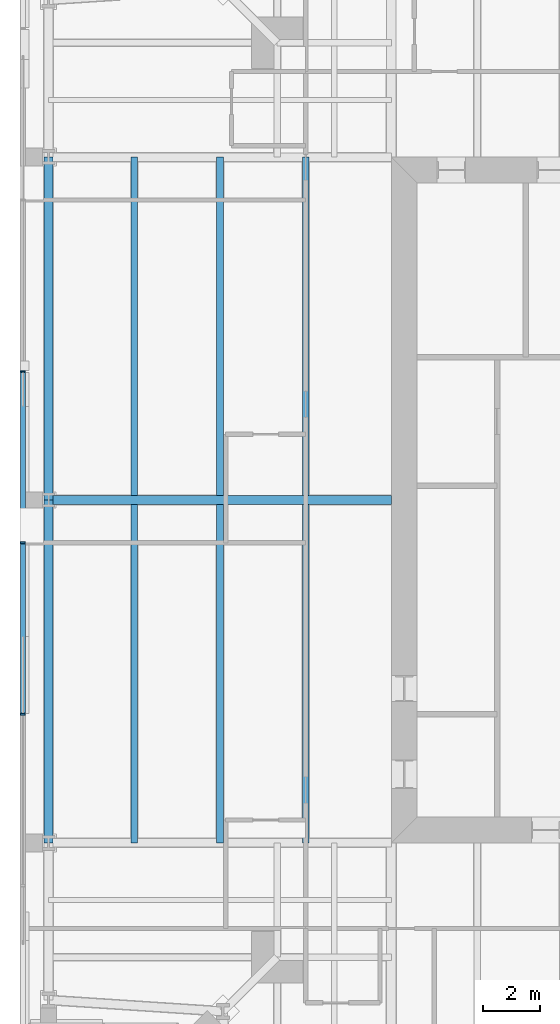
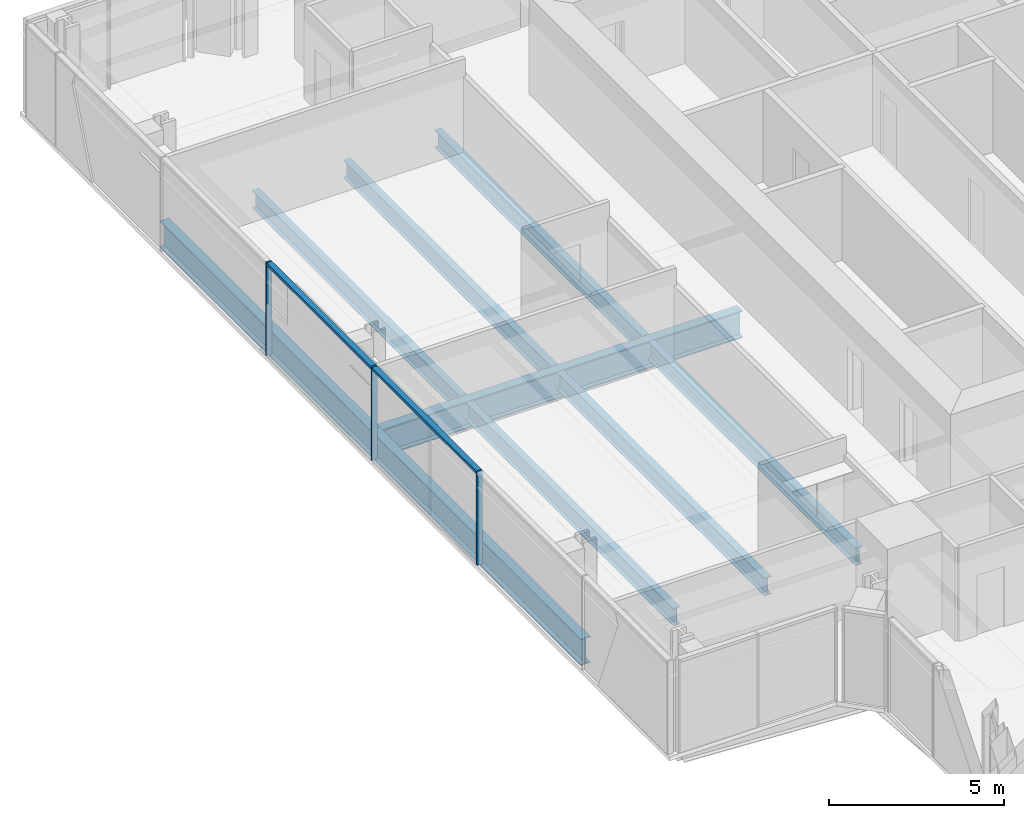
# One storey, part 4 of 20: 9 beams, 5 members, 1 element without a shape of its own.
"""IFC4 building model written with IfcOpenShell, lengths in metres."""

from ifc_helpers import new_model, si_unit, direction, frame, origin, origin_2d, place, context, subcontext, project, spatial, rectangle, i_section, extrude, material, material_profile, profile_set, type_object, element, aggregate, save


model = new_model("IFC4")

# Units and contexts
model_context = context("Model", 3, precision=1e-05, world=origin(), true_north=direction((0.0, 1.0)))
body_context = subcontext(model_context, "Body", "Model", "MODEL_VIEW")
ifc_project = project(units=[si_unit("LENGTHUNIT", "METRE"), si_unit("AREAUNIT", "SQUARE_METRE"), si_unit("VOLUMEUNIT", "CUBIC_METRE"), si_unit("PLANEANGLEUNIT", "RADIAN"), si_unit("MASSUNIT", "GRAM", prefix="KILO")], contexts=[model_context])

# Site, building, storey
site_placement = place(None, origin())
site = spatial("IfcSite", under=ifc_project, at=site_placement, CompositionType="ELEMENT")
building_placement = place(site_placement, origin())
building = spatial("IfcBuilding", under=site, at=building_placement, Name="Fenwick Lantern Interchange", CompositionType="ELEMENT")
storey_placement = place(building_placement, frame((0.0, 0.0, 279.800048828125)))
storey = spatial("IfcBuildingStorey", under=building, at=storey_placement, Name="L67", CompositionType="ELEMENT", Elevation=279.800048828125)

# Beams
ifc_material_1 = material(Name="Steel ASTM A992 Grade 50", Category="steel")
ifc_material_profile_1 = material_profile(ifc_material_1, i_section(OverallWidth=0.3046875, OverallDepth=0.911865234375, WebThickness=0.015869140625, FlangeThickness=0.02392578125, at=origin_2d()), Name="W36X150")
ifc_profile_set_1 = profile_set([ifc_material_profile_1], Name="Steel ASTM A992 Grade 50")
beam_type_1 = type_object("IfcBeamType", Name="EDGE BEAM W36X150", PredefinedType="SPANDREL", material=ifc_profile_set_1)
for number, where, z_axis, x_axis, name in (
    (1, (1.0, 37.0, -0.60595703125), (0.0, -1.0, 0.0), (1.0, 0.0, 0.0), "L67/FR/W/EB2"),
    (2, (1.0, 25.0, -0.60595703125), (0.0, -1.0, 0.0), (1.0, 0.0, 0.0), "L67/FR/W/EB3"),
):
    element("IfcBeam", number, at=place(storey_placement, frame(where, z_axis=z_axis, x_axis=x_axis)), inside=storey, type_object=beam_type_1, Name=name, PredefinedType="SPANDREL", context=body_context, shape_type="SweptSolid", body=[
        extrude(i_section(OverallWidth=0.3046875, OverallDepth=0.911865234375, WebThickness=0.015869140625, FlangeThickness=0.02392578125, at=origin_2d()), origin(), (0.0, 0.0, 1.0), 12.0),
    ])
ifc_material_profile_2 = material_profile(ifc_material_1, i_section(OverallWidth=0.22900390625, OverallDepth=0.612060546875, WebThickness=0.011962890625, FlangeThickness=0.01953125, at=origin_2d()), Name="W24X84")
ifc_profile_set_2 = profile_set([ifc_material_profile_2], Name="Steel ASTM A992 Grade 50")
beam_type_2 = type_object("IfcBeamType", Name="FLOOR BEAM W24X84", PredefinedType="BEAM", material=ifc_profile_set_2)
for number, where, z_axis, x_axis, name in (
    (3, (4.0, 37.0, -0.4560546875), (0.0, -1.0, 0.0), (1.0, 0.0, 0.0), "L67/FR/W/B01"),
    (4, (7.0, 37.0, -0.4560546875), (0.0, -1.0, 0.0), (1.0, 0.0, 0.0), "L67/FR/W/B02"),
    (5, (10.0, 37.0, -0.4560546875), (0.0, -1.0, 0.0), (1.0, 0.0, 0.0), "L67/FR/W/B03"),
    (6, (4.0, 24.844970703125, -0.4560546875), (0.0, -1.0, 0.0), (1.0, 0.0, 0.0), "L67/FR/W/B04"),
    (7, (7.0, 24.844970703125, -0.4560546875), (0.0, -1.0, 0.0), (1.0, 0.0, 0.0), "L67/FR/W/B05"),
    (8, (10.0, 24.844970703125, -0.4560546875), (0.0, -1.0, 0.0), (1.0, 0.0, 0.0), "L67/FR/W/B06"),
):
    element("IfcBeam", number, at=place(storey_placement, frame(where, z_axis=z_axis, x_axis=x_axis)), inside=storey, type_object=beam_type_2, Name=name, PredefinedType="BEAM", context=body_context, shape_type="SweptSolid", body=[
        extrude(i_section(OverallWidth=0.22900390625, OverallDepth=0.612060546875, WebThickness=0.011962890625, FlangeThickness=0.01953125, at=origin_2d()), origin(), (0.0, 0.0, 1.0), 11.844970703125),
    ])

# Curtain wall, members
ifc_material_2 = material(Name="Aluminium curtain wall frame", Category="aluminium")
curtain_wall_type = type_object("IfcCurtainWallType", Name="HOTEL CURTAIN WALL", PredefinedType="USERDEFINED", material=ifc_material_2)
curtain_wall_placement = place(storey_placement, origin())
curtain_wall = element("IfcCurtainWall", 9, at=curtain_wall_placement, inside=storey, type_object=curtain_wall_type, Name="Hotel curtain wall 13", ObjectType="HOTEL CURTAIN WALL", PredefinedType="USERDEFINED")
ifc_material_3 = material(Name="Aluminium extrusion", Category="aluminium")
ifc_material_profile_3 = material_profile(ifc_material_3, rectangle(XDim=0.179931640625, YDim=0.06005859375, at=origin_2d()), Name="HOTEL CURTAIN WALL MULLION 60 X 180")
ifc_profile_set_3 = profile_set([ifc_material_profile_3], Name="Aluminium extrusion")
member_type_1 = type_object("IfcMemberType", Name="HOTEL CURTAIN WALL MULLION 60 X 180", PredefinedType="MULLION", material=ifc_profile_set_3)
member_1_placement = place(storey_placement, frame((0.10009765625, 29.5, 0.0), z_axis=(0.0, 0.0, 1.0), x_axis=(1.0, 0.0, 0.0)))
member_1 = element("IfcMember", 10, at=member_1_placement, type_object=member_type_1, Name="L67/CW/13/M03", PredefinedType="MULLION", context=body_context, shape_type="SweptSolid", body=[
    extrude(rectangle(XDim=0.179931640625, YDim=0.06005859375, at=origin_2d()), origin(), (0.0, 0.0, 1.0), 3.25),
])
member_2_placement = place(storey_placement, frame((0.10009765625, 23.5, 0.0), z_axis=(0.0, 0.0, 1.0), x_axis=(1.0, 0.0, 0.0)))
member_2 = element("IfcMember", 11, at=member_2_placement, type_object=member_type_1, Name="L67/CW/13/M04", PredefinedType="MULLION", context=body_context, shape_type="SweptSolid", body=[
    extrude(rectangle(XDim=0.179931640625, YDim=0.06005859375, at=origin_2d()), origin(), (0.0, 0.0, 1.0), 3.25),
])
member_3_placement = place(storey_placement, frame((0.10009765625, 17.5, 0.0), z_axis=(0.0, 0.0, 1.0), x_axis=(1.0, 0.0, 0.0)))
member_3 = element("IfcMember", 12, at=member_3_placement, type_object=member_type_1, Name="L67/CW/13/M05", PredefinedType="MULLION", context=body_context, shape_type="SweptSolid", body=[
    extrude(rectangle(XDim=0.179931640625, YDim=0.06005859375, at=origin_2d()), origin(), (0.0, 0.0, 1.0), 3.25),
])
ifc_material_profile_4 = material_profile(ifc_material_3, rectangle(XDim=0.179931640625, YDim=0.10009765625, at=origin_2d()), Name="HOTEL CURTAIN WALL TRANSOM 100 X 180")
ifc_profile_set_4 = profile_set([ifc_material_profile_4], Name="Aluminium extrusion")
member_type_2 = type_object("IfcMemberType", Name="HOTEL CURTAIN WALL TRANSOM 100 X 180", PredefinedType="MULLION", material=ifc_profile_set_4)
member_4_placement = place(storey_placement, frame((0.10009765625, 29.469970703125, 3.199951171875), z_axis=(0.0, -1.0, 0.0), x_axis=(1.0, 0.0, 0.0)))
member_4 = element("IfcMember", 13, at=member_4_placement, type_object=member_type_2, Name="L67/CW/13/T03", PredefinedType="MULLION", context=body_context, shape_type="SweptSolid", body=[
    extrude(rectangle(XDim=0.179931640625, YDim=0.10009765625, at=origin_2d()), origin(), (0.0, 0.0, 1.0), 5.93994140625),
])
member_5_placement = place(storey_placement, frame((0.10009765625, 23.469970703125, 3.199951171875), z_axis=(0.0, -1.0, 0.0), x_axis=(1.0, 0.0, 0.0)))
member_5 = element("IfcMember", 14, at=member_5_placement, type_object=member_type_2, Name="L67/CW/13/T04", PredefinedType="MULLION", context=body_context, shape_type="SweptSolid", body=[
    extrude(rectangle(XDim=0.179931640625, YDim=0.10009765625, at=origin_2d()), origin(), (0.0, 0.0, 1.0), 5.93994140625),
])
aggregate(curtain_wall, [member_1, member_2, member_3, member_4, member_5])

# Beam
ifc_material_profile_5 = material_profile(ifc_material_1, i_section(OverallWidth=0.309814453125, OverallDepth=0.949951171875, WebThickness=0.0244140625, FlangeThickness=0.0439453125, at=origin_2d()), Name="W36X256")
ifc_profile_set_5 = profile_set([ifc_material_profile_5], Name="Steel ASTM A992 Grade 50")
beam_type_3 = type_object("IfcBeamType", Name="MOMENT-CONNECTED GIRDER W36X256", PredefinedType="BEAM", material=ifc_profile_set_5)
beam_placement = place(storey_placement, frame((1.0, 25.0, -0.625), z_axis=(1.0, 0.0, 0.0), x_axis=(0.0, 1.0, 0.0)))
element("IfcBeam", 15, at=beam_placement, inside=storey, type_object=beam_type_3, Name="L67/FR/W/R02", PredefinedType="BEAM", context=body_context, shape_type="SweptSolid", body=[
    extrude(i_section(OverallWidth=0.309814453125, OverallDepth=0.949951171875, WebThickness=0.0244140625, FlangeThickness=0.0439453125, at=origin_2d()), origin(), (0.0, 0.0, 1.0), 12.0),
])

save(model, "model.ifc")
